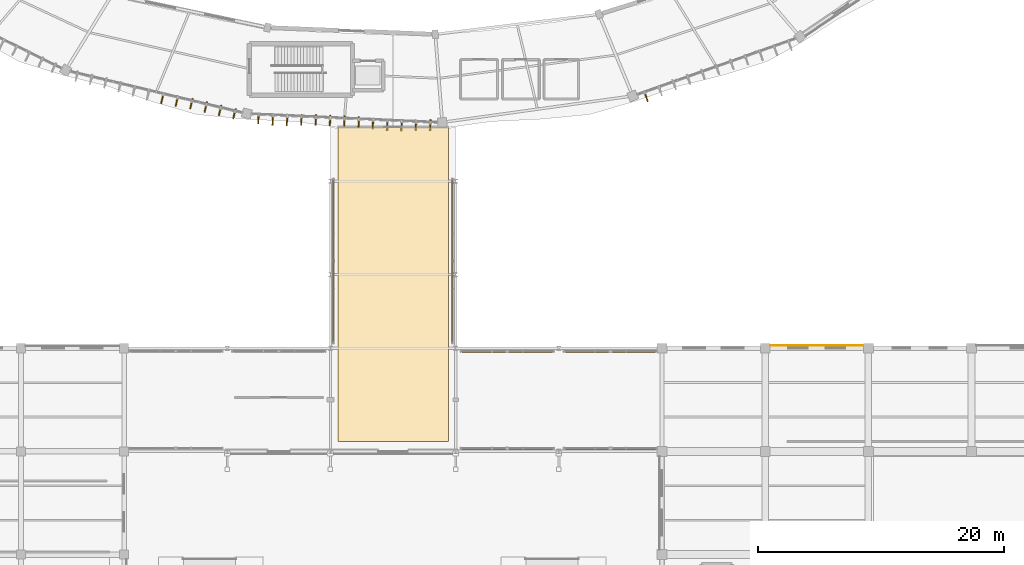
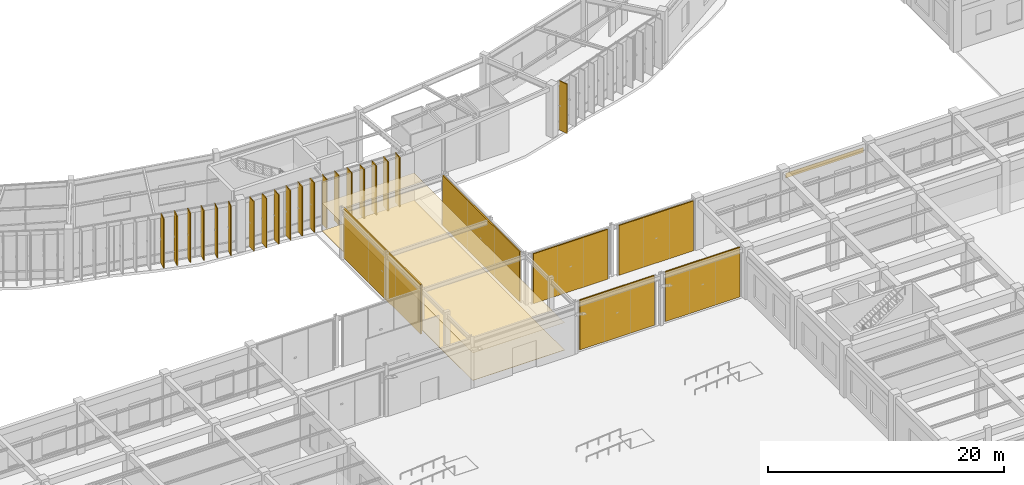
# One storey, part 147 of 157: 26 shading devices, 3 coverings.
"""IFC4 building model written with IfcOpenShell, lengths in metres."""

from ifc_helpers import new_model, si_unit, direction, frame, origin, origin_2d, place, context, subcontext, project, spatial, polyline, rectangle, outline, extrude, material, layer, layer_set, type_object, element, save


model = new_model("IFC4")

# Units and contexts
model_context = context("Model", 3, precision=1e-05, world=origin(), true_north=direction((0.0, 1.0)))
body_context = subcontext(model_context, "Body", "Model", "MODEL_VIEW")
ifc_project = project(units=[si_unit("LENGTHUNIT", "METRE"), si_unit("AREAUNIT", "SQUARE_METRE"), si_unit("VOLUMEUNIT", "CUBIC_METRE"), si_unit("PLANEANGLEUNIT", "RADIAN"), si_unit("MASSUNIT", "GRAM", prefix="KILO"), si_unit("THERMODYNAMICTEMPERATUREUNIT", "KELVIN"), si_unit("POWERUNIT", "WATT")], contexts=[model_context])

# Site, building, storey
site_placement = place(None, origin())
site = spatial("IfcSite", under=ifc_project, at=site_placement, CompositionType="ELEMENT")
building_placement = place(site_placement, origin())
building = spatial("IfcBuilding", under=site, at=building_placement, Name="Darbajah Civic Hall", CompositionType="ELEMENT")
storey_placement = place(building_placement, origin())
storey = spatial("IfcBuildingStorey", under=building, at=storey_placement, Name="L00", CompositionType="ELEMENT", Elevation=0.0)

# Coverings
ifc_material_1 = material(Name="Honed Qatari Limestone Terrazzo", Category="masonry")
ifc_layer_1 = layer(ifc_material_1, 0.030029296875, Name="Honed Qatari Limestone Terrazzo")
ifc_layer_set_1 = layer_set([ifc_layer_1], Name="Honed Qatari Limestone Terrazzo")
covering_type_1 = type_object("IfcCoveringType", Name="Honed Qatari Limestone Terrazzo Flooring", PredefinedType="FLOORING", material=ifc_layer_set_1)
covering_1_placement = place(storey_placement, origin())
element("IfcCovering", 1, at=covering_1_placement, inside=storey, type_object=covering_type_1, Name="L00 stone terrazzo flooring L00-V6-01", PredefinedType="FLOORING", context=body_context, shape_type="SweptSolid", body=[
    extrude(outline(polyline([(84.60009765625, 34.39990234375), (93.60009765625, 34.39990234375), (93.60009765625, 60.0), (84.60009765625, 60.0), (84.60009765625, 34.39990234375)])), origin(), (0.0, 0.0, 1.0), 0.030029296875),
])
ifc_material_2 = material(Name="Qatari Desert Limestone Ashlar", Category="masonry")
ifc_layer_2 = layer(ifc_material_2, 0.044921875, Name="Qatari Desert Limestone Ashlar")
ifc_layer_set_2 = layer_set([ifc_layer_2], Name="Qatari Desert Limestone Ashlar")
covering_type_2 = type_object("IfcCoveringType", Name="Limestone Facade Cladding", PredefinedType="CLADDING", material=ifc_layer_set_2)
covering_2_placement = place(storey_placement, frame((0.0, 0.0, 3.949951171875)))
element("IfcCovering", 2, at=covering_2_placement, inside=storey, type_object=covering_type_2, Name="L00 stone frieze cladding EW-V3-L00-S2-B6", PredefinedType="CLADDING", context=body_context, shape_type="SweptSolid", body=[
    extrude(outline(polyline([(127.39794921875, 42.18994140625), (119.802001953125, 42.18994140625), (119.802001953125, 42.235107421875), (127.39794921875, 42.235107421875), (127.39794921875, 42.18994140625)])), origin(), (0.0, 0.0, 1.0), 0.5),
])
ifc_material_3 = material(Name="Perforated Acoustic Gypsum Board")
ifc_layer_3 = layer(ifc_material_3, 0.02490234375, Name="Perforated Acoustic Gypsum Board")
ifc_layer_set_3 = layer_set([ifc_layer_3], Name="Perforated Acoustic Gypsum Board")
covering_type_3 = type_object("IfcCoveringType", Name="Perforated Acoustic Gypsum Ceiling", PredefinedType="CEILING", material=ifc_layer_set_3)
covering_3_placement = place(storey_placement, frame((0.0, 0.0, 2.85009765625)))
element("IfcCovering", 3, at=covering_3_placement, inside=storey, type_object=covering_type_3, Name="L00 acoustic suspended ceiling L00-V6-01", PredefinedType="CEILING", context=body_context, shape_type="SweptSolid", body=[
    extrude(outline(polyline([(84.60009765625, 34.39990234375), (93.60009765625, 34.39990234375), (93.60009765625, 60.0), (84.60009765625, 60.0), (84.60009765625, 34.39990234375)])), origin(), (0.0, 0.0, 1.0), 0.02490234375),
])

# Shading devices
ifc_material_4 = material(Name="Pierced Qatari Desert Limestone Jali", Category="masonry")
ifc_layer_4 = layer(ifc_material_4, 0.1201171875, Name="Pierced Qatari Desert Limestone Jali")
ifc_layer_set_4 = layer_set([ifc_layer_4], Name="Pierced Qatari Desert Limestone Jali")
shading_device_type_1 = type_object("IfcShadingDeviceType", Name="Pierced Qatari Limestone Jali Screen", PredefinedType="JALOUSIE", material=ifc_layer_set_4)
for number, where, z_axis, x_axis, name in (
    (4, (98.39990234375, 33.85009765625, 0.0), (0.0, 0.0, 1.0), (1.0, 0.0, 0.0), "L00 pierced limestone jali screen SE-S"),
    (5, (106.800048828125, 33.85009765625, 0.0), (0.0, 0.0, 1.0), (1.0, 0.0, 0.0), "L00 pierced limestone jali screen SE-S2"),
    (6, (98.39990234375, 41.75, 0.0), (0.0, 0.0, 1.0), (1.0, 0.0, 0.0), "L00 pierced limestone jali screen SE-N"),
    (7, (106.800048828125, 41.75, 0.0), (0.0, 0.0, 1.0), (1.0, 0.0, 0.0), "L00 pierced limestone jali screen SE-N2"),
):
    element("IfcShadingDevice", number, at=place(storey_placement, frame(where, z_axis=z_axis, x_axis=x_axis)), inside=storey, type_object=shading_device_type_1, Name=name, PredefinedType="JALOUSIE", context=body_context, shape_type="SweptSolid", body=[
        extrude(rectangle(XDim=7.300048828125, YDim=0.1201171875, at=origin_2d()), origin(), (0.0, 0.0, 1.0), 5.159912109375),
    ])
for number, where, z_axis, x_axis, name in (
    (8, (84.25, 49.10009765625, 0.0), (0.0, 0.0, 1.0), (0.0, 1.0, 0.0), "L00 pierced limestone jali screen PW"),
    (9, (93.949951171875, 49.10009765625, 0.0), (0.0, 0.0, 1.0), (0.0, 1.0, 0.0), "L00 pierced limestone jali screen PE"),
):
    element("IfcShadingDevice", number, at=place(storey_placement, frame(where, z_axis=z_axis, x_axis=x_axis)), inside=storey, type_object=shading_device_type_1, Name=name, PredefinedType="JALOUSIE", context=body_context, shape_type="SweptSolid", body=[
        extrude(rectangle(XDim=13.10009765625, YDim=0.1201171875, at=origin_2d()), origin(), (0.0, 0.0, 1.0), 5.159912109375),
    ])
ifc_material_5 = material(Name="Bronze Anodised Aluminium and Teak Composite", Category="aluminium")
shading_device_type_2 = type_object("IfcShadingDeviceType", Name="Vertical Bronze Timber Shading Fin", PredefinedType="USERDEFINED", material=ifc_material_5)
for number, where, z_axis, x_axis, name in (
    (10, (70.311279296875, 62.34130859375, 0.0), (0.0, 0.0, 1.0), (-0.232936200179, -0.972492018808, 0.0), "L00 vertical shading fin VF-13-7"),
    (11, (71.494384765625, 62.127197265625, 0.0), (0.0, 0.0, 1.0), (-0.232936200179, -0.972492018808, 0.0), "L00 vertical shading fin VF-13-8"),
    (12, (72.68017578125, 61.924072265625, 0.0), (0.0, 0.0, 1.0), (-0.232936200179, -0.972492018808, 0.0), "L00 vertical shading fin VF-13-9"),
    (13, (73.847412109375, 61.644287109375, 0.0), (0.0, 0.0, 1.0), (-0.232936200179, -0.972492018808, 0.0), "L00 vertical shading fin VF-13-10"),
    (14, (75.014892578125, 61.36474609375, 0.0), (0.0, 0.0, 1.0), (-0.232936200179, -0.972492018808, 0.0), "L00 vertical shading fin VF-13-11"),
    (15, (76.182373046875, 61.0849609375, 0.0), (0.0, 0.0, 1.0), (-0.232936200179, -0.972492018808, 0.0), "L00 vertical shading fin VF-13-12"),
    (16, (78.13720703125, 60.707763671875, 0.0), (0.0, 0.0, 1.0), (-0.045537340693, -0.998962637241, 0.0), "L00 vertical shading fin VF-14-1"),
    (17, (79.30029296875, 60.59716796875, 0.0), (0.0, 0.0, 1.0), (-0.045537340693, -0.998962637241, 0.0), "L00 vertical shading fin VF-14-2"),
    (18, (80.46630859375, 60.554443359375, 0.0), (0.0, 0.0, 1.0), (-0.045537340693, -0.998962637241, 0.0), "L00 vertical shading fin VF-14-3"),
    (19, (81.635498046875, 60.57763671875, 0.0), (0.0, 0.0, 1.0), (-0.045537340693, -0.998962637241, 0.0), "L00 vertical shading fin VF-14-4"),
    (20, (82.804443359375, 60.594482421875, 0.0), (0.0, 0.0, 1.0), (-0.045537340693, -0.998962637241, 0.0), "L00 vertical shading fin VF-14-5"),
    (21, (83.97021484375, 60.54150390625, 0.0), (0.0, 0.0, 1.0), (-0.045537340693, -0.998962637241, 0.0), "L00 vertical shading fin VF-14-6"),
    (22, (85.1357421875, 60.48828125, 0.0), (0.0, 0.0, 1.0), (-0.045537340693, -0.998962637241, 0.0), "L00 vertical shading fin VF-14-7"),
    (23, (86.301513671875, 60.435302734375, 0.0), (0.0, 0.0, 1.0), (-0.045537340693, -0.998962637241, 0.0), "L00 vertical shading fin VF-14-8"),
    (24, (87.46337890625, 60.296630859375, 0.0), (0.0, 0.0, 1.0), (-0.045537340693, -0.998962637241, 0.0), "L00 vertical shading fin VF-14-9"),
    (25, (88.625732421875, 60.17431640625, 0.0), (0.0, 0.0, 1.0), (-0.045537340693, -0.998962637241, 0.0), "L00 vertical shading fin VF-14-10"),
    (26, (89.7919921875, 60.13037109375, 0.0), (0.0, 0.0, 1.0), (-0.045537340693, -0.998962637241, 0.0), "L00 vertical shading fin VF-14-11"),
    (27, (90.961181640625, 60.15869140625, 0.0), (0.0, 0.0, 1.0), (-0.045537340693, -0.998962637241, 0.0), "L00 vertical shading fin VF-14-12"),
    (28, (92.1298828125, 60.169921875, 0.0), (0.0, 0.0, 1.0), (-0.045537340693, -0.998962637241, 0.0), "L00 vertical shading fin VF-14-13"),
    (29, (109.696533203125, 62.489013671875, 0.0), (0.0, 0.0, 1.0), (0.334135882844, -0.94252491309, 0.0), "L00 vertical shading fin VF-16-1"),
):
    element("IfcShadingDevice", number, at=place(storey_placement, frame(where, z_axis=z_axis, x_axis=x_axis)), inside=storey, type_object=shading_device_type_2, Name=name, ObjectType="VERTICAL FIN", PredefinedType="USERDEFINED", context=body_context, shape_type="SweptSolid", body=[
        extrude(rectangle(XDim=0.85009765625, YDim=0.090087890625, at=origin_2d()), origin(), (0.0, 0.0, 1.0), 5.1201171875),
    ])

save(model, "model.ifc")
